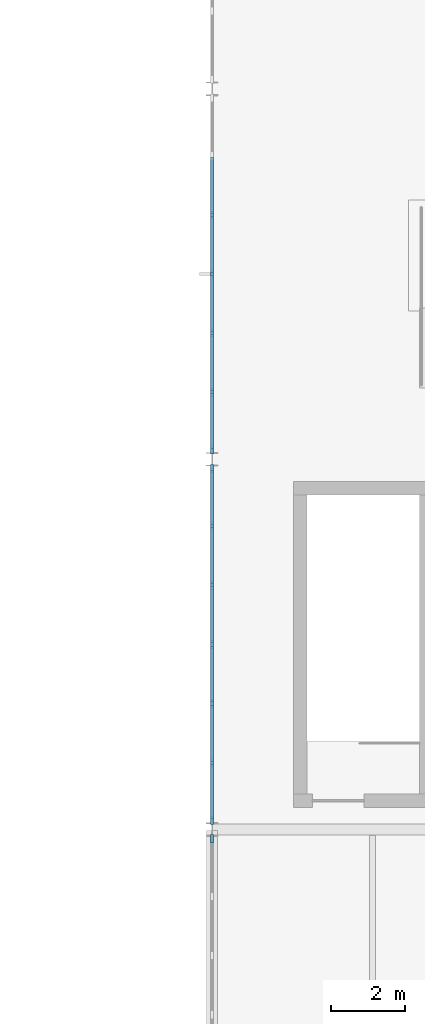
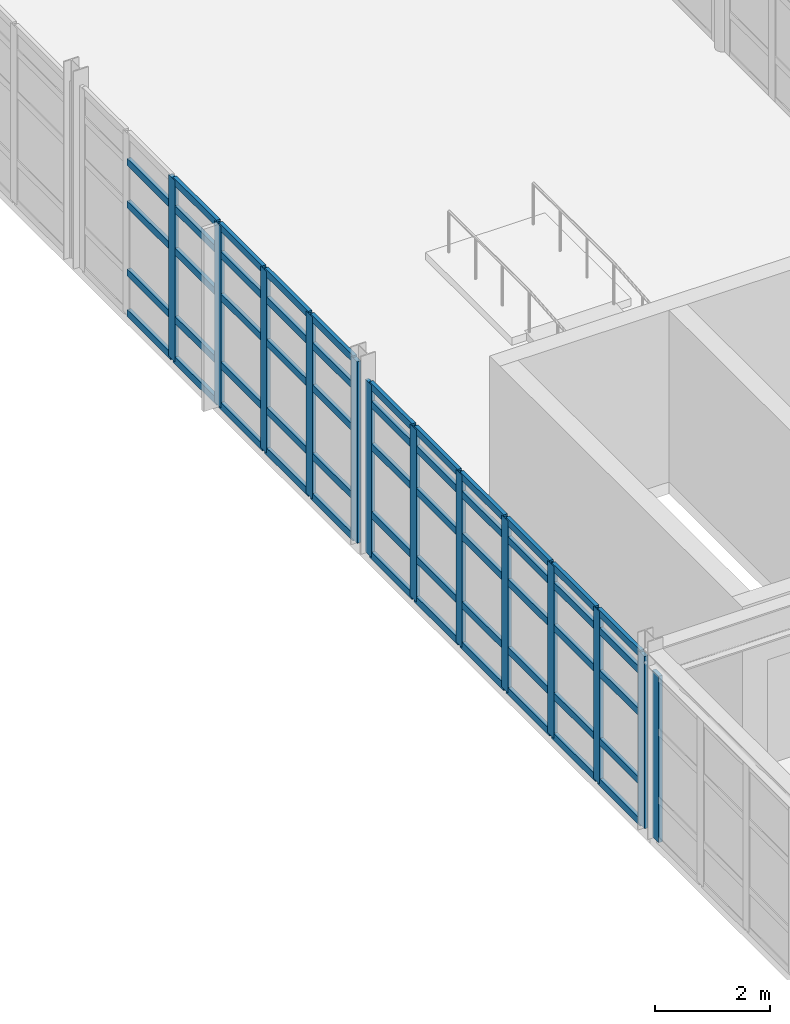
# One storey, part 56 of 122: 67 members, 3 elements without a shape of their own.
"""IFC4 building model written with IfcOpenShell, lengths in metres."""

from ifc_helpers import new_model, si_unit, direction, frame, origin, origin_2d, place, context, subcontext, project, spatial, rectangle, extrude, material, layer, layer_set, material_profile, profile_set, type_object, element, aggregate, save


model = new_model("IFC4")

# Units and contexts
model_context = context("Model", 3, precision=1e-05, world=origin(), true_north=direction((0.0, 1.0)))
body_context = subcontext(model_context, "Body", "Model", "MODEL_VIEW")
ifc_project = project(units=[si_unit("LENGTHUNIT", "METRE"), si_unit("AREAUNIT", "SQUARE_METRE"), si_unit("VOLUMEUNIT", "CUBIC_METRE"), si_unit("PLANEANGLEUNIT", "RADIAN"), si_unit("MASSUNIT", "GRAM", prefix="KILO"), si_unit("THERMODYNAMICTEMPERATUREUNIT", "KELVIN"), si_unit("POWERUNIT", "WATT")], contexts=[model_context])

# Site, building, storey
site_placement = place(None, origin())
site = spatial("IfcSite", under=ifc_project, at=site_placement, CompositionType="ELEMENT")
building_placement = place(site_placement, origin())
building = spatial("IfcBuilding", under=site, at=building_placement, Name="Korenveer Ferry Terminal", CompositionType="ELEMENT")
storey_placement = place(building_placement, frame((0.0, 0.0, 10.199951171875)))
storey = spatial("IfcBuildingStorey", under=building, at=storey_placement, Name="L02", CompositionType="ELEMENT", Elevation=10.199951171875)

# Curtain wall, member
ifc_material_1 = material(Name="Unitised bronze-and-glass curtain wall", Category="glass")
ifc_layer_1 = layer(ifc_material_1, 0.219970703125)
ifc_layer_set_1 = layer_set([ifc_layer_1], Name="Unitised bronze-and-glass curtain wall")
curtain_wall_type_1 = type_object("IfcCurtainWallType", Name="ENV-CW-121", PredefinedType="USERDEFINED", material=ifc_layer_set_1)
curtain_wall_1_placement = place(storey_placement, frame((123.0, 70.2099609375, 0.0)))
curtain_wall_1 = element("IfcCurtainWall", 1, at=curtain_wall_1_placement, inside=storey, type_object=curtain_wall_type_1, Name="Lancet curtain wall CWX-L02-X123-123-Y70-80", ObjectType="UNITISED CURTAIN WALL", PredefinedType="USERDEFINED")
ifc_material_2 = material(Name="Anodised bronze aluminium", Category="aluminium")
ifc_material_profile_1 = material_profile(ifc_material_2, rectangle(XDim=0.074951171875, YDim=0.219970703125, at=origin_2d()), Name="ALU 75x220")
ifc_profile_set_1 = profile_set([ifc_material_profile_1], Name="Anodised bronze aluminium")
member_type_1 = type_object("IfcMemberType", Name="ENV-CWM-75X220", PredefinedType="MULLION", material=ifc_profile_set_1)
member_1_placement = place(storey_placement, frame((123.0, 79.75244140625, 0.0), z_axis=(0.0, 0.0, 1.0), x_axis=(-1.0, 0.0, 0.0)))
member_1 = element("IfcMember", 2, at=member_1_placement, type_object=member_type_1, Name="CW-121 mullion 7", PredefinedType="MULLION", context=body_context, shape_type="SweptSolid", body=[
    extrude(rectangle(XDim=0.074951171875, YDim=0.219970703125, at=origin_2d()), origin(), (0.0, 0.0, 1.0), 3.5400390625),
])
aggregate(curtain_wall_1, [member_1])

# Curtain wall, members
ifc_layer_2 = layer(ifc_material_1, 0.219970703125)
ifc_layer_set_2 = layer_set([ifc_layer_2], Name="Unitised bronze-and-glass curtain wall")
curtain_wall_type_2 = type_object("IfcCurtainWallType", Name="ENV-CW-115", PredefinedType="USERDEFINED", material=ifc_layer_set_2)
curtain_wall_2_placement = place(storey_placement, frame((123.0, 80.2099609375, 0.0)))
curtain_wall_2 = element("IfcCurtainWall", 3, at=curtain_wall_2_placement, inside=storey, type_object=curtain_wall_type_2, Name="Lancet curtain wall CWX-L02-X123-123-Y80-90", ObjectType="UNITISED CURTAIN WALL", PredefinedType="USERDEFINED")
member_2_placement = place(storey_placement, frame((123.0, 80.24755859375, 0.0), z_axis=(0.0, 0.0, 1.0), x_axis=(-1.0, 0.0, 0.0)))
member_2 = element("IfcMember", 4, at=member_2_placement, type_object=member_type_1, Name="CW-115 mullion 1", PredefinedType="MULLION", context=body_context, shape_type="SweptSolid", body=[
    extrude(rectangle(XDim=0.074951171875, YDim=0.219970703125, at=origin_2d()), origin(), (0.0, 0.0, 1.0), 3.66015625),
])
member_3_placement = place(storey_placement, frame((123.0, 81.806640625, 0.0), z_axis=(0.0, 0.0, 1.0), x_axis=(-1.0, 0.0, 0.0)))
member_3 = element("IfcMember", 5, at=member_3_placement, type_object=member_type_1, Name="CW-115 mullion 2", PredefinedType="MULLION", context=body_context, shape_type="SweptSolid", body=[
    extrude(rectangle(XDim=0.074951171875, YDim=0.219970703125, at=origin_2d()), origin(), (0.0, 0.0, 1.0), 3.66015625),
])
member_4_placement = place(storey_placement, frame((123.0, 83.4033203125, 0.0), z_axis=(0.0, 0.0, 1.0), x_axis=(-1.0, 0.0, 0.0)))
member_4 = element("IfcMember", 6, at=member_4_placement, type_object=member_type_1, Name="CW-115 mullion 3", PredefinedType="MULLION", context=body_context, shape_type="SweptSolid", body=[
    extrude(rectangle(XDim=0.074951171875, YDim=0.219970703125, at=origin_2d()), origin(), (0.0, 0.0, 1.0), 3.66015625),
])
member_5_placement = place(storey_placement, frame((123.0, 85.0, 0.0), z_axis=(0.0, 0.0, 1.0), x_axis=(-1.0, 0.0, 0.0)))
member_5 = element("IfcMember", 7, at=member_5_placement, type_object=member_type_1, Name="CW-115 mullion 4", PredefinedType="MULLION", context=body_context, shape_type="SweptSolid", body=[
    extrude(rectangle(XDim=0.074951171875, YDim=0.219970703125, at=origin_2d()), origin(), (0.0, 0.0, 1.0), 3.66015625),
])
member_6_placement = place(storey_placement, frame((123.0, 86.5966796875, 0.0), z_axis=(0.0, 0.0, 1.0), x_axis=(-1.0, 0.0, 0.0)))
member_6 = element("IfcMember", 8, at=member_6_placement, type_object=member_type_1, Name="CW-115 mullion 5", PredefinedType="MULLION", context=body_context, shape_type="SweptSolid", body=[
    extrude(rectangle(XDim=0.074951171875, YDim=0.219970703125, at=origin_2d()), origin(), (0.0, 0.0, 1.0), 3.66015625),
])
member_7_placement = place(storey_placement, frame((123.0, 88.193359375, 0.0), z_axis=(0.0, 0.0, 1.0), x_axis=(-1.0, 0.0, 0.0)))
member_7 = element("IfcMember", 9, at=member_7_placement, type_object=member_type_1, Name="CW-115 mullion 6", PredefinedType="MULLION", context=body_context, shape_type="SweptSolid", body=[
    extrude(rectangle(XDim=0.074951171875, YDim=0.219970703125, at=origin_2d()), origin(), (0.0, 0.0, 1.0), 3.66015625),
])
member_8_placement = place(storey_placement, frame((123.0, 89.75244140625, 0.0), z_axis=(0.0, 0.0, 1.0), x_axis=(-1.0, 0.0, 0.0)))
member_8 = element("IfcMember", 10, at=member_8_placement, type_object=member_type_1, Name="CW-115 mullion 7", PredefinedType="MULLION", context=body_context, shape_type="SweptSolid", body=[
    extrude(rectangle(XDim=0.074951171875, YDim=0.219970703125, at=origin_2d()), origin(), (0.0, 0.0, 1.0), 3.66015625),
])

ifc_layer_3 = layer(ifc_material_1, 0.219970703125)
ifc_layer_set_3 = layer_set([ifc_layer_3], Name="Unitised bronze-and-glass curtain wall")
curtain_wall_type_3 = type_object("IfcCurtainWallType", Name="ENV-CW-120", PredefinedType="USERDEFINED", material=ifc_layer_set_3)
curtain_wall_3_placement = place(storey_placement, frame((123.0, 90.2099609375, 0.0)))
curtain_wall_3 = element("IfcCurtainWall", 11, at=curtain_wall_3_placement, inside=storey, type_object=curtain_wall_type_3, Name="Lancet curtain wall CWX-L02-X123-123-Y90-100", ObjectType="UNITISED CURTAIN WALL", PredefinedType="USERDEFINED")
member_9_placement = place(storey_placement, frame((123.0, 90.24755859375, 0.0), z_axis=(0.0, 0.0, 1.0), x_axis=(-1.0, 0.0, 0.0)))
member_9 = element("IfcMember", 12, at=member_9_placement, type_object=member_type_1, Name="CW-120 mullion 1", PredefinedType="MULLION", context=body_context, shape_type="SweptSolid", body=[
    extrude(rectangle(XDim=0.074951171875, YDim=0.219970703125, at=origin_2d()), origin(), (0.0, 0.0, 1.0), 3.860107421875),
])
member_10_placement = place(storey_placement, frame((123.0, 91.806640625, 0.0), z_axis=(0.0, 0.0, 1.0), x_axis=(-1.0, 0.0, 0.0)))
member_10 = element("IfcMember", 13, at=member_10_placement, type_object=member_type_1, Name="CW-120 mullion 2", PredefinedType="MULLION", context=body_context, shape_type="SweptSolid", body=[
    extrude(rectangle(XDim=0.074951171875, YDim=0.219970703125, at=origin_2d()), origin(), (0.0, 0.0, 1.0), 3.860107421875),
])
member_11_placement = place(storey_placement, frame((123.0, 93.4033203125, 0.0), z_axis=(0.0, 0.0, 1.0), x_axis=(-1.0, 0.0, 0.0)))
member_11 = element("IfcMember", 14, at=member_11_placement, type_object=member_type_1, Name="CW-120 mullion 3", PredefinedType="MULLION", context=body_context, shape_type="SweptSolid", body=[
    extrude(rectangle(XDim=0.074951171875, YDim=0.219970703125, at=origin_2d()), origin(), (0.0, 0.0, 1.0), 3.860107421875),
])
member_12_placement = place(storey_placement, frame((123.0, 95.0, 0.0), z_axis=(0.0, 0.0, 1.0), x_axis=(-1.0, 0.0, 0.0)))
member_12 = element("IfcMember", 15, at=member_12_placement, type_object=member_type_1, Name="CW-120 mullion 4", PredefinedType="MULLION", context=body_context, shape_type="SweptSolid", body=[
    extrude(rectangle(XDim=0.074951171875, YDim=0.219970703125, at=origin_2d()), origin(), (0.0, 0.0, 1.0), 3.860107421875),
])
member_13_placement = place(storey_placement, frame((123.0, 96.5966796875, 0.0), z_axis=(0.0, 0.0, 1.0), x_axis=(-1.0, 0.0, 0.0)))
member_13 = element("IfcMember", 16, at=member_13_placement, type_object=member_type_1, Name="CW-120 mullion 5", PredefinedType="MULLION", context=body_context, shape_type="SweptSolid", body=[
    extrude(rectangle(XDim=0.074951171875, YDim=0.219970703125, at=origin_2d()), origin(), (0.0, 0.0, 1.0), 3.860107421875),
])

# Member
ifc_material_profile_2 = material_profile(ifc_material_2, rectangle(XDim=0.074951171875, YDim=0.14990234375, at=origin_2d()), Name="ALU 75x150")
ifc_profile_set_2 = profile_set([ifc_material_profile_2], Name="Anodised bronze aluminium")
member_type_2 = type_object("IfcMemberType", Name="ENV-CWT-75X150", PredefinedType="USERDEFINED", material=ifc_profile_set_2)
member_14_placement = place(storey_placement, frame((123.0, 80.284912109375, 0.03759765625), z_axis=(0.0, 1.0, 0.0), x_axis=(-1.0, 0.0, 0.0)))
member_14 = element("IfcMember", 17, at=member_14_placement, type_object=member_type_2, Name="CW-115 transom 1.1", ObjectType="TRANSOM", PredefinedType="USERDEFINED", context=body_context, shape_type="SweptSolid", body=[
    extrude(rectangle(XDim=0.074951171875, YDim=0.14990234375, at=origin_2d()), origin(), (0.0, 0.0, 1.0), 1.484375),
])

member_15_placement = place(storey_placement, frame((123.0, 80.284912109375, 0.900146484375), z_axis=(0.0, 1.0, 0.0), x_axis=(-1.0, 0.0, 0.0)))
member_15 = element("IfcMember", 18, at=member_15_placement, type_object=member_type_2, Name="CW-115 transom 1.2", ObjectType="TRANSOM", PredefinedType="USERDEFINED", context=body_context, shape_type="SweptSolid", body=[
    extrude(rectangle(XDim=0.074951171875, YDim=0.14990234375, at=origin_2d()), origin(), (0.0, 0.0, 1.0), 1.484375),
])

member_16_placement = place(storey_placement, frame((123.0, 80.284912109375, 2.35009765625), z_axis=(0.0, 1.0, 0.0), x_axis=(-1.0, 0.0, 0.0)))
member_16 = element("IfcMember", 19, at=member_16_placement, type_object=member_type_2, Name="CW-115 transom 1.3", ObjectType="TRANSOM", PredefinedType="USERDEFINED", context=body_context, shape_type="SweptSolid", body=[
    extrude(rectangle(XDim=0.074951171875, YDim=0.14990234375, at=origin_2d()), origin(), (0.0, 0.0, 1.0), 1.484375),
])

member_17_placement = place(storey_placement, frame((123.0, 80.284912109375, 3.25), z_axis=(0.0, 1.0, 0.0), x_axis=(-1.0, 0.0, 0.0)))
member_17 = element("IfcMember", 20, at=member_17_placement, type_object=member_type_2, Name="CW-115 transom 1.4", ObjectType="TRANSOM", PredefinedType="USERDEFINED", context=body_context, shape_type="SweptSolid", body=[
    extrude(rectangle(XDim=0.074951171875, YDim=0.14990234375, at=origin_2d()), origin(), (0.0, 0.0, 1.0), 1.484375),
])

member_18_placement = place(storey_placement, frame((123.0, 80.284912109375, 3.62255859375), z_axis=(0.0, 1.0, 0.0), x_axis=(-1.0, 0.0, 0.0)))
member_18 = element("IfcMember", 21, at=member_18_placement, type_object=member_type_2, Name="CW-115 transom 1.5", ObjectType="TRANSOM", PredefinedType="USERDEFINED", context=body_context, shape_type="SweptSolid", body=[
    extrude(rectangle(XDim=0.074951171875, YDim=0.14990234375, at=origin_2d()), origin(), (0.0, 0.0, 1.0), 1.484375),
])

member_19_placement = place(storey_placement, frame((123.0, 81.84423828125, 0.03759765625), z_axis=(0.0, 1.0, 0.0), x_axis=(-1.0, 0.0, 0.0)))
member_19 = element("IfcMember", 22, at=member_19_placement, type_object=member_type_2, Name="CW-115 transom 2.1", ObjectType="TRANSOM", PredefinedType="USERDEFINED", context=body_context, shape_type="SweptSolid", body=[
    extrude(rectangle(XDim=0.074951171875, YDim=0.14990234375, at=origin_2d()), origin(), (0.0, 0.0, 1.0), 1.521484375),
])

member_20_placement = place(storey_placement, frame((123.0, 81.84423828125, 0.900146484375), z_axis=(0.0, 1.0, 0.0), x_axis=(-1.0, 0.0, 0.0)))
member_20 = element("IfcMember", 23, at=member_20_placement, type_object=member_type_2, Name="CW-115 transom 2.2", ObjectType="TRANSOM", PredefinedType="USERDEFINED", context=body_context, shape_type="SweptSolid", body=[
    extrude(rectangle(XDim=0.074951171875, YDim=0.14990234375, at=origin_2d()), origin(), (0.0, 0.0, 1.0), 1.521484375),
])

member_21_placement = place(storey_placement, frame((123.0, 81.84423828125, 2.35009765625), z_axis=(0.0, 1.0, 0.0), x_axis=(-1.0, 0.0, 0.0)))
member_21 = element("IfcMember", 24, at=member_21_placement, type_object=member_type_2, Name="CW-115 transom 2.3", ObjectType="TRANSOM", PredefinedType="USERDEFINED", context=body_context, shape_type="SweptSolid", body=[
    extrude(rectangle(XDim=0.074951171875, YDim=0.14990234375, at=origin_2d()), origin(), (0.0, 0.0, 1.0), 1.521484375),
])

member_22_placement = place(storey_placement, frame((123.0, 81.84423828125, 3.25), z_axis=(0.0, 1.0, 0.0), x_axis=(-1.0, 0.0, 0.0)))
member_22 = element("IfcMember", 25, at=member_22_placement, type_object=member_type_2, Name="CW-115 transom 2.4", ObjectType="TRANSOM", PredefinedType="USERDEFINED", context=body_context, shape_type="SweptSolid", body=[
    extrude(rectangle(XDim=0.074951171875, YDim=0.14990234375, at=origin_2d()), origin(), (0.0, 0.0, 1.0), 1.521484375),
])

member_23_placement = place(storey_placement, frame((123.0, 81.84423828125, 3.62255859375), z_axis=(0.0, 1.0, 0.0), x_axis=(-1.0, 0.0, 0.0)))
member_23 = element("IfcMember", 26, at=member_23_placement, type_object=member_type_2, Name="CW-115 transom 2.5", ObjectType="TRANSOM", PredefinedType="USERDEFINED", context=body_context, shape_type="SweptSolid", body=[
    extrude(rectangle(XDim=0.074951171875, YDim=0.14990234375, at=origin_2d()), origin(), (0.0, 0.0, 1.0), 1.521484375),
])

member_24_placement = place(storey_placement, frame((123.0, 83.44091796875, 0.03759765625), z_axis=(0.0, 1.0, 0.0), x_axis=(-1.0, 0.0, 0.0)))
member_24 = element("IfcMember", 27, at=member_24_placement, type_object=member_type_2, Name="CW-115 transom 3.1", ObjectType="TRANSOM", PredefinedType="USERDEFINED", context=body_context, shape_type="SweptSolid", body=[
    extrude(rectangle(XDim=0.074951171875, YDim=0.14990234375, at=origin_2d()), origin(), (0.0, 0.0, 1.0), 1.521484375),
])

member_25_placement = place(storey_placement, frame((123.0, 83.44091796875, 0.900146484375), z_axis=(0.0, 1.0, 0.0), x_axis=(-1.0, 0.0, 0.0)))
member_25 = element("IfcMember", 28, at=member_25_placement, type_object=member_type_2, Name="CW-115 transom 3.2", ObjectType="TRANSOM", PredefinedType="USERDEFINED", context=body_context, shape_type="SweptSolid", body=[
    extrude(rectangle(XDim=0.074951171875, YDim=0.14990234375, at=origin_2d()), origin(), (0.0, 0.0, 1.0), 1.521484375),
])

member_26_placement = place(storey_placement, frame((123.0, 83.44091796875, 2.35009765625), z_axis=(0.0, 1.0, 0.0), x_axis=(-1.0, 0.0, 0.0)))
member_26 = element("IfcMember", 29, at=member_26_placement, type_object=member_type_2, Name="CW-115 transom 3.3", ObjectType="TRANSOM", PredefinedType="USERDEFINED", context=body_context, shape_type="SweptSolid", body=[
    extrude(rectangle(XDim=0.074951171875, YDim=0.14990234375, at=origin_2d()), origin(), (0.0, 0.0, 1.0), 1.521484375),
])

member_27_placement = place(storey_placement, frame((123.0, 83.44091796875, 3.25), z_axis=(0.0, 1.0, 0.0), x_axis=(-1.0, 0.0, 0.0)))
member_27 = element("IfcMember", 30, at=member_27_placement, type_object=member_type_2, Name="CW-115 transom 3.4", ObjectType="TRANSOM", PredefinedType="USERDEFINED", context=body_context, shape_type="SweptSolid", body=[
    extrude(rectangle(XDim=0.074951171875, YDim=0.14990234375, at=origin_2d()), origin(), (0.0, 0.0, 1.0), 1.521484375),
])

member_28_placement = place(storey_placement, frame((123.0, 83.44091796875, 3.62255859375), z_axis=(0.0, 1.0, 0.0), x_axis=(-1.0, 0.0, 0.0)))
member_28 = element("IfcMember", 31, at=member_28_placement, type_object=member_type_2, Name="CW-115 transom 3.5", ObjectType="TRANSOM", PredefinedType="USERDEFINED", context=body_context, shape_type="SweptSolid", body=[
    extrude(rectangle(XDim=0.074951171875, YDim=0.14990234375, at=origin_2d()), origin(), (0.0, 0.0, 1.0), 1.521484375),
])

member_29_placement = place(storey_placement, frame((123.0, 85.03759765625, 0.03759765625), z_axis=(0.0, 1.0, 0.0), x_axis=(-1.0, 0.0, 0.0)))
member_29 = element("IfcMember", 32, at=member_29_placement, type_object=member_type_2, Name="CW-115 transom 4.1", ObjectType="TRANSOM", PredefinedType="USERDEFINED", context=body_context, shape_type="SweptSolid", body=[
    extrude(rectangle(XDim=0.074951171875, YDim=0.14990234375, at=origin_2d()), origin(), (0.0, 0.0, 1.0), 1.521484375),
])

member_30_placement = place(storey_placement, frame((123.0, 85.03759765625, 0.900146484375), z_axis=(0.0, 1.0, 0.0), x_axis=(-1.0, 0.0, 0.0)))
member_30 = element("IfcMember", 33, at=member_30_placement, type_object=member_type_2, Name="CW-115 transom 4.2", ObjectType="TRANSOM", PredefinedType="USERDEFINED", context=body_context, shape_type="SweptSolid", body=[
    extrude(rectangle(XDim=0.074951171875, YDim=0.14990234375, at=origin_2d()), origin(), (0.0, 0.0, 1.0), 1.521484375),
])

member_31_placement = place(storey_placement, frame((123.0, 85.03759765625, 2.35009765625), z_axis=(0.0, 1.0, 0.0), x_axis=(-1.0, 0.0, 0.0)))
member_31 = element("IfcMember", 34, at=member_31_placement, type_object=member_type_2, Name="CW-115 transom 4.3", ObjectType="TRANSOM", PredefinedType="USERDEFINED", context=body_context, shape_type="SweptSolid", body=[
    extrude(rectangle(XDim=0.074951171875, YDim=0.14990234375, at=origin_2d()), origin(), (0.0, 0.0, 1.0), 1.521484375),
])

member_32_placement = place(storey_placement, frame((123.0, 85.03759765625, 3.25), z_axis=(0.0, 1.0, 0.0), x_axis=(-1.0, 0.0, 0.0)))
member_32 = element("IfcMember", 35, at=member_32_placement, type_object=member_type_2, Name="CW-115 transom 4.4", ObjectType="TRANSOM", PredefinedType="USERDEFINED", context=body_context, shape_type="SweptSolid", body=[
    extrude(rectangle(XDim=0.074951171875, YDim=0.14990234375, at=origin_2d()), origin(), (0.0, 0.0, 1.0), 1.521484375),
])

member_33_placement = place(storey_placement, frame((123.0, 85.03759765625, 3.62255859375), z_axis=(0.0, 1.0, 0.0), x_axis=(-1.0, 0.0, 0.0)))
member_33 = element("IfcMember", 36, at=member_33_placement, type_object=member_type_2, Name="CW-115 transom 4.5", ObjectType="TRANSOM", PredefinedType="USERDEFINED", context=body_context, shape_type="SweptSolid", body=[
    extrude(rectangle(XDim=0.074951171875, YDim=0.14990234375, at=origin_2d()), origin(), (0.0, 0.0, 1.0), 1.521484375),
])

member_34_placement = place(storey_placement, frame((123.0, 86.63427734375, 0.03759765625), z_axis=(0.0, 1.0, 0.0), x_axis=(-1.0, 0.0, 0.0)))
member_34 = element("IfcMember", 37, at=member_34_placement, type_object=member_type_2, Name="CW-115 transom 5.1", ObjectType="TRANSOM", PredefinedType="USERDEFINED", context=body_context, shape_type="SweptSolid", body=[
    extrude(rectangle(XDim=0.074951171875, YDim=0.14990234375, at=origin_2d()), origin(), (0.0, 0.0, 1.0), 1.521484375),
])

member_35_placement = place(storey_placement, frame((123.0, 86.63427734375, 0.900146484375), z_axis=(0.0, 1.0, 0.0), x_axis=(-1.0, 0.0, 0.0)))
member_35 = element("IfcMember", 38, at=member_35_placement, type_object=member_type_2, Name="CW-115 transom 5.2", ObjectType="TRANSOM", PredefinedType="USERDEFINED", context=body_context, shape_type="SweptSolid", body=[
    extrude(rectangle(XDim=0.074951171875, YDim=0.14990234375, at=origin_2d()), origin(), (0.0, 0.0, 1.0), 1.521484375),
])

member_36_placement = place(storey_placement, frame((123.0, 86.63427734375, 2.35009765625), z_axis=(0.0, 1.0, 0.0), x_axis=(-1.0, 0.0, 0.0)))
member_36 = element("IfcMember", 39, at=member_36_placement, type_object=member_type_2, Name="CW-115 transom 5.3", ObjectType="TRANSOM", PredefinedType="USERDEFINED", context=body_context, shape_type="SweptSolid", body=[
    extrude(rectangle(XDim=0.074951171875, YDim=0.14990234375, at=origin_2d()), origin(), (0.0, 0.0, 1.0), 1.521484375),
])

member_37_placement = place(storey_placement, frame((123.0, 86.63427734375, 3.25), z_axis=(0.0, 1.0, 0.0), x_axis=(-1.0, 0.0, 0.0)))
member_37 = element("IfcMember", 40, at=member_37_placement, type_object=member_type_2, Name="CW-115 transom 5.4", ObjectType="TRANSOM", PredefinedType="USERDEFINED", context=body_context, shape_type="SweptSolid", body=[
    extrude(rectangle(XDim=0.074951171875, YDim=0.14990234375, at=origin_2d()), origin(), (0.0, 0.0, 1.0), 1.521484375),
])

member_38_placement = place(storey_placement, frame((123.0, 86.63427734375, 3.62255859375), z_axis=(0.0, 1.0, 0.0), x_axis=(-1.0, 0.0, 0.0)))
member_38 = element("IfcMember", 41, at=member_38_placement, type_object=member_type_2, Name="CW-115 transom 5.5", ObjectType="TRANSOM", PredefinedType="USERDEFINED", context=body_context, shape_type="SweptSolid", body=[
    extrude(rectangle(XDim=0.074951171875, YDim=0.14990234375, at=origin_2d()), origin(), (0.0, 0.0, 1.0), 1.521484375),
])

member_39_placement = place(storey_placement, frame((123.0, 88.230712890625, 0.03759765625), z_axis=(0.0, 1.0, 0.0), x_axis=(-1.0, 0.0, 0.0)))
member_39 = element("IfcMember", 42, at=member_39_placement, type_object=member_type_2, Name="CW-115 transom 6.1", ObjectType="TRANSOM", PredefinedType="USERDEFINED", context=body_context, shape_type="SweptSolid", body=[
    extrude(rectangle(XDim=0.074951171875, YDim=0.14990234375, at=origin_2d()), origin(), (0.0, 0.0, 1.0), 1.484375),
])

member_40_placement = place(storey_placement, frame((123.0, 88.230712890625, 0.900146484375), z_axis=(0.0, 1.0, 0.0), x_axis=(-1.0, 0.0, 0.0)))
member_40 = element("IfcMember", 43, at=member_40_placement, type_object=member_type_2, Name="CW-115 transom 6.2", ObjectType="TRANSOM", PredefinedType="USERDEFINED", context=body_context, shape_type="SweptSolid", body=[
    extrude(rectangle(XDim=0.074951171875, YDim=0.14990234375, at=origin_2d()), origin(), (0.0, 0.0, 1.0), 1.484375),
])

member_41_placement = place(storey_placement, frame((123.0, 88.230712890625, 2.35009765625), z_axis=(0.0, 1.0, 0.0), x_axis=(-1.0, 0.0, 0.0)))
member_41 = element("IfcMember", 44, at=member_41_placement, type_object=member_type_2, Name="CW-115 transom 6.3", ObjectType="TRANSOM", PredefinedType="USERDEFINED", context=body_context, shape_type="SweptSolid", body=[
    extrude(rectangle(XDim=0.074951171875, YDim=0.14990234375, at=origin_2d()), origin(), (0.0, 0.0, 1.0), 1.484375),
])

member_42_placement = place(storey_placement, frame((123.0, 88.230712890625, 3.25), z_axis=(0.0, 1.0, 0.0), x_axis=(-1.0, 0.0, 0.0)))
member_42 = element("IfcMember", 45, at=member_42_placement, type_object=member_type_2, Name="CW-115 transom 6.4", ObjectType="TRANSOM", PredefinedType="USERDEFINED", context=body_context, shape_type="SweptSolid", body=[
    extrude(rectangle(XDim=0.074951171875, YDim=0.14990234375, at=origin_2d()), origin(), (0.0, 0.0, 1.0), 1.484375),
])

member_43_placement = place(storey_placement, frame((123.0, 88.230712890625, 3.62255859375), z_axis=(0.0, 1.0, 0.0), x_axis=(-1.0, 0.0, 0.0)))
member_43 = element("IfcMember", 46, at=member_43_placement, type_object=member_type_2, Name="CW-115 transom 6.5", ObjectType="TRANSOM", PredefinedType="USERDEFINED", context=body_context, shape_type="SweptSolid", body=[
    extrude(rectangle(XDim=0.074951171875, YDim=0.14990234375, at=origin_2d()), origin(), (0.0, 0.0, 1.0), 1.484375),
])

aggregate(curtain_wall_2, [member_2, member_3, member_4, member_5, member_6, member_7, member_8, member_14, member_15, member_16, member_17, member_18, member_19, member_20, member_21, member_22, member_23, member_24, member_25, member_26, member_27, member_28, member_29, member_30, member_31, member_32, member_33, member_34, member_35, member_36, member_37, member_38, member_39, member_40, member_41, member_42, member_43])

member_44_placement = place(storey_placement, frame((123.0, 90.284912109375, 0.03759765625), z_axis=(0.0, 1.0, 0.0), x_axis=(-1.0, 0.0, 0.0)))
member_44 = element("IfcMember", 47, at=member_44_placement, type_object=member_type_2, Name="CW-120 transom 1.1", ObjectType="TRANSOM", PredefinedType="USERDEFINED", context=body_context, shape_type="SweptSolid", body=[
    extrude(rectangle(XDim=0.074951171875, YDim=0.14990234375, at=origin_2d()), origin(), (0.0, 0.0, 1.0), 1.484375),
])

member_45_placement = place(storey_placement, frame((123.0, 90.284912109375, 0.900146484375), z_axis=(0.0, 1.0, 0.0), x_axis=(-1.0, 0.0, 0.0)))
member_45 = element("IfcMember", 48, at=member_45_placement, type_object=member_type_2, Name="CW-120 transom 1.2", ObjectType="TRANSOM", PredefinedType="USERDEFINED", context=body_context, shape_type="SweptSolid", body=[
    extrude(rectangle(XDim=0.074951171875, YDim=0.14990234375, at=origin_2d()), origin(), (0.0, 0.0, 1.0), 1.484375),
])

member_46_placement = place(storey_placement, frame((123.0, 90.284912109375, 2.35009765625), z_axis=(0.0, 1.0, 0.0), x_axis=(-1.0, 0.0, 0.0)))
member_46 = element("IfcMember", 49, at=member_46_placement, type_object=member_type_2, Name="CW-120 transom 1.3", ObjectType="TRANSOM", PredefinedType="USERDEFINED", context=body_context, shape_type="SweptSolid", body=[
    extrude(rectangle(XDim=0.074951171875, YDim=0.14990234375, at=origin_2d()), origin(), (0.0, 0.0, 1.0), 1.484375),
])

member_47_placement = place(storey_placement, frame((123.0, 90.284912109375, 3.25), z_axis=(0.0, 1.0, 0.0), x_axis=(-1.0, 0.0, 0.0)))
member_47 = element("IfcMember", 50, at=member_47_placement, type_object=member_type_2, Name="CW-120 transom 1.4", ObjectType="TRANSOM", PredefinedType="USERDEFINED", context=body_context, shape_type="SweptSolid", body=[
    extrude(rectangle(XDim=0.074951171875, YDim=0.14990234375, at=origin_2d()), origin(), (0.0, 0.0, 1.0), 1.484375),
])

member_48_placement = place(storey_placement, frame((123.0, 90.284912109375, 3.822509765625), z_axis=(0.0, 1.0, 0.0), x_axis=(-1.0, 0.0, 0.0)))
member_48 = element("IfcMember", 51, at=member_48_placement, type_object=member_type_2, Name="CW-120 transom 1.5", ObjectType="TRANSOM", PredefinedType="USERDEFINED", context=body_context, shape_type="SweptSolid", body=[
    extrude(rectangle(XDim=0.074951171875, YDim=0.14990234375, at=origin_2d()), origin(), (0.0, 0.0, 1.0), 1.484375),
])

member_49_placement = place(storey_placement, frame((123.0, 91.84423828125, 0.03759765625), z_axis=(0.0, 1.0, 0.0), x_axis=(-1.0, 0.0, 0.0)))
member_49 = element("IfcMember", 52, at=member_49_placement, type_object=member_type_2, Name="CW-120 transom 2.1", ObjectType="TRANSOM", PredefinedType="USERDEFINED", context=body_context, shape_type="SweptSolid", body=[
    extrude(rectangle(XDim=0.074951171875, YDim=0.14990234375, at=origin_2d()), origin(), (0.0, 0.0, 1.0), 1.521484375),
])

member_50_placement = place(storey_placement, frame((123.0, 91.84423828125, 0.900146484375), z_axis=(0.0, 1.0, 0.0), x_axis=(-1.0, 0.0, 0.0)))
member_50 = element("IfcMember", 53, at=member_50_placement, type_object=member_type_2, Name="CW-120 transom 2.2", ObjectType="TRANSOM", PredefinedType="USERDEFINED", context=body_context, shape_type="SweptSolid", body=[
    extrude(rectangle(XDim=0.074951171875, YDim=0.14990234375, at=origin_2d()), origin(), (0.0, 0.0, 1.0), 1.521484375),
])

member_51_placement = place(storey_placement, frame((123.0, 91.84423828125, 2.35009765625), z_axis=(0.0, 1.0, 0.0), x_axis=(-1.0, 0.0, 0.0)))
member_51 = element("IfcMember", 54, at=member_51_placement, type_object=member_type_2, Name="CW-120 transom 2.3", ObjectType="TRANSOM", PredefinedType="USERDEFINED", context=body_context, shape_type="SweptSolid", body=[
    extrude(rectangle(XDim=0.074951171875, YDim=0.14990234375, at=origin_2d()), origin(), (0.0, 0.0, 1.0), 1.521484375),
])

member_52_placement = place(storey_placement, frame((123.0, 91.84423828125, 3.25), z_axis=(0.0, 1.0, 0.0), x_axis=(-1.0, 0.0, 0.0)))
member_52 = element("IfcMember", 55, at=member_52_placement, type_object=member_type_2, Name="CW-120 transom 2.4", ObjectType="TRANSOM", PredefinedType="USERDEFINED", context=body_context, shape_type="SweptSolid", body=[
    extrude(rectangle(XDim=0.074951171875, YDim=0.14990234375, at=origin_2d()), origin(), (0.0, 0.0, 1.0), 1.521484375),
])

member_53_placement = place(storey_placement, frame((123.0, 91.84423828125, 3.822509765625), z_axis=(0.0, 1.0, 0.0), x_axis=(-1.0, 0.0, 0.0)))
member_53 = element("IfcMember", 56, at=member_53_placement, type_object=member_type_2, Name="CW-120 transom 2.5", ObjectType="TRANSOM", PredefinedType="USERDEFINED", context=body_context, shape_type="SweptSolid", body=[
    extrude(rectangle(XDim=0.074951171875, YDim=0.14990234375, at=origin_2d()), origin(), (0.0, 0.0, 1.0), 1.521484375),
])

member_54_placement = place(storey_placement, frame((123.0, 93.44091796875, 0.03759765625), z_axis=(0.0, 1.0, 0.0), x_axis=(-1.0, 0.0, 0.0)))
member_54 = element("IfcMember", 57, at=member_54_placement, type_object=member_type_2, Name="CW-120 transom 3.1", ObjectType="TRANSOM", PredefinedType="USERDEFINED", context=body_context, shape_type="SweptSolid", body=[
    extrude(rectangle(XDim=0.074951171875, YDim=0.14990234375, at=origin_2d()), origin(), (0.0, 0.0, 1.0), 1.521484375),
])

member_55_placement = place(storey_placement, frame((123.0, 93.44091796875, 0.900146484375), z_axis=(0.0, 1.0, 0.0), x_axis=(-1.0, 0.0, 0.0)))
member_55 = element("IfcMember", 58, at=member_55_placement, type_object=member_type_2, Name="CW-120 transom 3.2", ObjectType="TRANSOM", PredefinedType="USERDEFINED", context=body_context, shape_type="SweptSolid", body=[
    extrude(rectangle(XDim=0.074951171875, YDim=0.14990234375, at=origin_2d()), origin(), (0.0, 0.0, 1.0), 1.521484375),
])

member_56_placement = place(storey_placement, frame((123.0, 93.44091796875, 2.35009765625), z_axis=(0.0, 1.0, 0.0), x_axis=(-1.0, 0.0, 0.0)))
member_56 = element("IfcMember", 59, at=member_56_placement, type_object=member_type_2, Name="CW-120 transom 3.3", ObjectType="TRANSOM", PredefinedType="USERDEFINED", context=body_context, shape_type="SweptSolid", body=[
    extrude(rectangle(XDim=0.074951171875, YDim=0.14990234375, at=origin_2d()), origin(), (0.0, 0.0, 1.0), 1.521484375),
])

member_57_placement = place(storey_placement, frame((123.0, 93.44091796875, 3.25), z_axis=(0.0, 1.0, 0.0), x_axis=(-1.0, 0.0, 0.0)))
member_57 = element("IfcMember", 60, at=member_57_placement, type_object=member_type_2, Name="CW-120 transom 3.4", ObjectType="TRANSOM", PredefinedType="USERDEFINED", context=body_context, shape_type="SweptSolid", body=[
    extrude(rectangle(XDim=0.074951171875, YDim=0.14990234375, at=origin_2d()), origin(), (0.0, 0.0, 1.0), 1.521484375),
])

member_58_placement = place(storey_placement, frame((123.0, 93.44091796875, 3.822509765625), z_axis=(0.0, 1.0, 0.0), x_axis=(-1.0, 0.0, 0.0)))
member_58 = element("IfcMember", 61, at=member_58_placement, type_object=member_type_2, Name="CW-120 transom 3.5", ObjectType="TRANSOM", PredefinedType="USERDEFINED", context=body_context, shape_type="SweptSolid", body=[
    extrude(rectangle(XDim=0.074951171875, YDim=0.14990234375, at=origin_2d()), origin(), (0.0, 0.0, 1.0), 1.521484375),
])

member_59_placement = place(storey_placement, frame((123.0, 95.03759765625, 0.03759765625), z_axis=(0.0, 1.0, 0.0), x_axis=(-1.0, 0.0, 0.0)))
member_59 = element("IfcMember", 62, at=member_59_placement, type_object=member_type_2, Name="CW-120 transom 4.1", ObjectType="TRANSOM", PredefinedType="USERDEFINED", context=body_context, shape_type="SweptSolid", body=[
    extrude(rectangle(XDim=0.074951171875, YDim=0.14990234375, at=origin_2d()), origin(), (0.0, 0.0, 1.0), 1.521484375),
])

member_60_placement = place(storey_placement, frame((123.0, 95.03759765625, 0.900146484375), z_axis=(0.0, 1.0, 0.0), x_axis=(-1.0, 0.0, 0.0)))
member_60 = element("IfcMember", 63, at=member_60_placement, type_object=member_type_2, Name="CW-120 transom 4.2", ObjectType="TRANSOM", PredefinedType="USERDEFINED", context=body_context, shape_type="SweptSolid", body=[
    extrude(rectangle(XDim=0.074951171875, YDim=0.14990234375, at=origin_2d()), origin(), (0.0, 0.0, 1.0), 1.521484375),
])

member_61_placement = place(storey_placement, frame((123.0, 95.03759765625, 2.35009765625), z_axis=(0.0, 1.0, 0.0), x_axis=(-1.0, 0.0, 0.0)))
member_61 = element("IfcMember", 64, at=member_61_placement, type_object=member_type_2, Name="CW-120 transom 4.3", ObjectType="TRANSOM", PredefinedType="USERDEFINED", context=body_context, shape_type="SweptSolid", body=[
    extrude(rectangle(XDim=0.074951171875, YDim=0.14990234375, at=origin_2d()), origin(), (0.0, 0.0, 1.0), 1.521484375),
])

member_62_placement = place(storey_placement, frame((123.0, 95.03759765625, 3.25), z_axis=(0.0, 1.0, 0.0), x_axis=(-1.0, 0.0, 0.0)))
member_62 = element("IfcMember", 65, at=member_62_placement, type_object=member_type_2, Name="CW-120 transom 4.4", ObjectType="TRANSOM", PredefinedType="USERDEFINED", context=body_context, shape_type="SweptSolid", body=[
    extrude(rectangle(XDim=0.074951171875, YDim=0.14990234375, at=origin_2d()), origin(), (0.0, 0.0, 1.0), 1.521484375),
])

member_63_placement = place(storey_placement, frame((123.0, 95.03759765625, 3.822509765625), z_axis=(0.0, 1.0, 0.0), x_axis=(-1.0, 0.0, 0.0)))
member_63 = element("IfcMember", 66, at=member_63_placement, type_object=member_type_2, Name="CW-120 transom 4.5", ObjectType="TRANSOM", PredefinedType="USERDEFINED", context=body_context, shape_type="SweptSolid", body=[
    extrude(rectangle(XDim=0.074951171875, YDim=0.14990234375, at=origin_2d()), origin(), (0.0, 0.0, 1.0), 1.521484375),
])

member_64_placement = place(storey_placement, frame((123.0, 96.63427734375, 0.03759765625), z_axis=(0.0, 1.0, 0.0), x_axis=(-1.0, 0.0, 0.0)))
member_64 = element("IfcMember", 67, at=member_64_placement, type_object=member_type_2, Name="CW-120 transom 5.1", ObjectType="TRANSOM", PredefinedType="USERDEFINED", context=body_context, shape_type="SweptSolid", body=[
    extrude(rectangle(XDim=0.074951171875, YDim=0.14990234375, at=origin_2d()), origin(), (0.0, 0.0, 1.0), 1.521484375),
])

member_65_placement = place(storey_placement, frame((123.0, 96.63427734375, 0.900146484375), z_axis=(0.0, 1.0, 0.0), x_axis=(-1.0, 0.0, 0.0)))
member_65 = element("IfcMember", 68, at=member_65_placement, type_object=member_type_2, Name="CW-120 transom 5.2", ObjectType="TRANSOM", PredefinedType="USERDEFINED", context=body_context, shape_type="SweptSolid", body=[
    extrude(rectangle(XDim=0.074951171875, YDim=0.14990234375, at=origin_2d()), origin(), (0.0, 0.0, 1.0), 1.521484375),
])

member_66_placement = place(storey_placement, frame((123.0, 96.63427734375, 2.35009765625), z_axis=(0.0, 1.0, 0.0), x_axis=(-1.0, 0.0, 0.0)))
member_66 = element("IfcMember", 69, at=member_66_placement, type_object=member_type_2, Name="CW-120 transom 5.3", ObjectType="TRANSOM", PredefinedType="USERDEFINED", context=body_context, shape_type="SweptSolid", body=[
    extrude(rectangle(XDim=0.074951171875, YDim=0.14990234375, at=origin_2d()), origin(), (0.0, 0.0, 1.0), 1.521484375),
])

member_67_placement = place(storey_placement, frame((123.0, 96.63427734375, 3.25), z_axis=(0.0, 1.0, 0.0), x_axis=(-1.0, 0.0, 0.0)))
member_67 = element("IfcMember", 70, at=member_67_placement, type_object=member_type_2, Name="CW-120 transom 5.4", ObjectType="TRANSOM", PredefinedType="USERDEFINED", context=body_context, shape_type="SweptSolid", body=[
    extrude(rectangle(XDim=0.074951171875, YDim=0.14990234375, at=origin_2d()), origin(), (0.0, 0.0, 1.0), 1.521484375),
])

aggregate(curtain_wall_3, [member_9, member_10, member_11, member_12, member_13, member_44, member_45, member_46, member_47, member_48, member_49, member_50, member_51, member_52, member_53, member_54, member_55, member_56, member_57, member_58, member_59, member_60, member_61, member_62, member_63, member_64, member_65, member_66, member_67])

save(model, "model.ifc")
